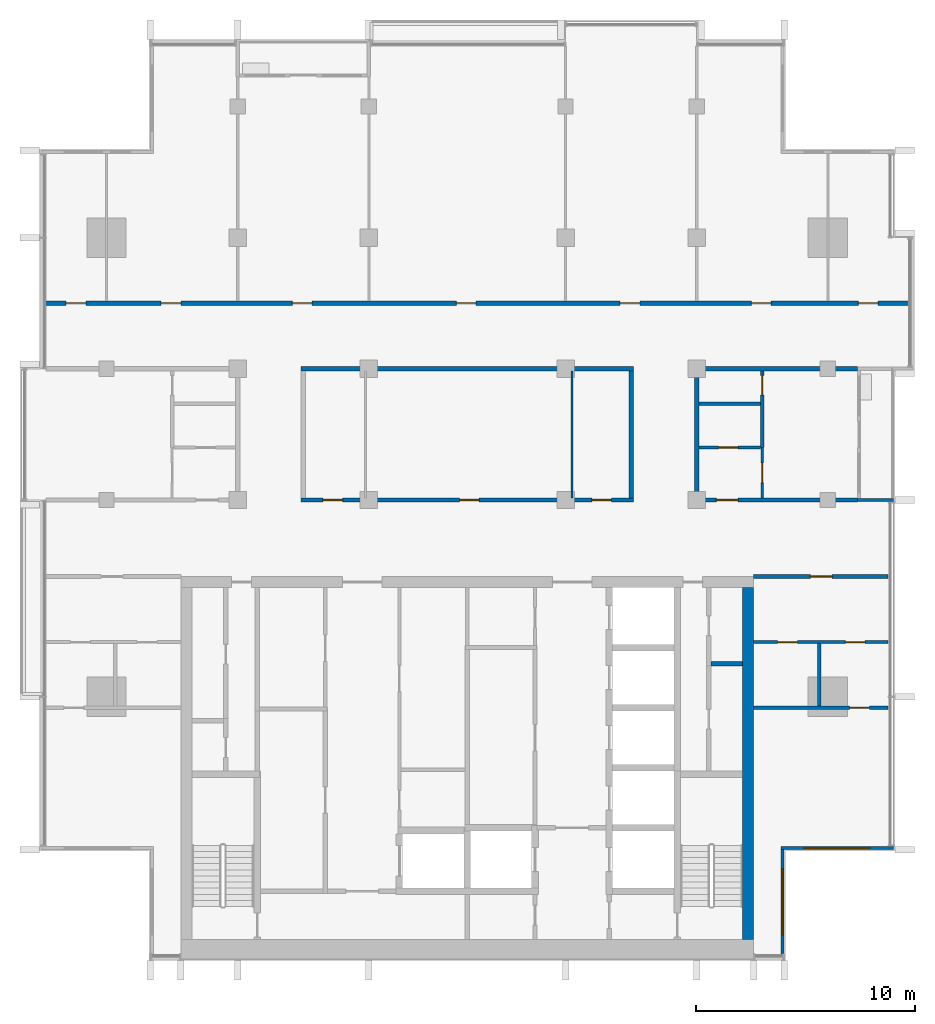
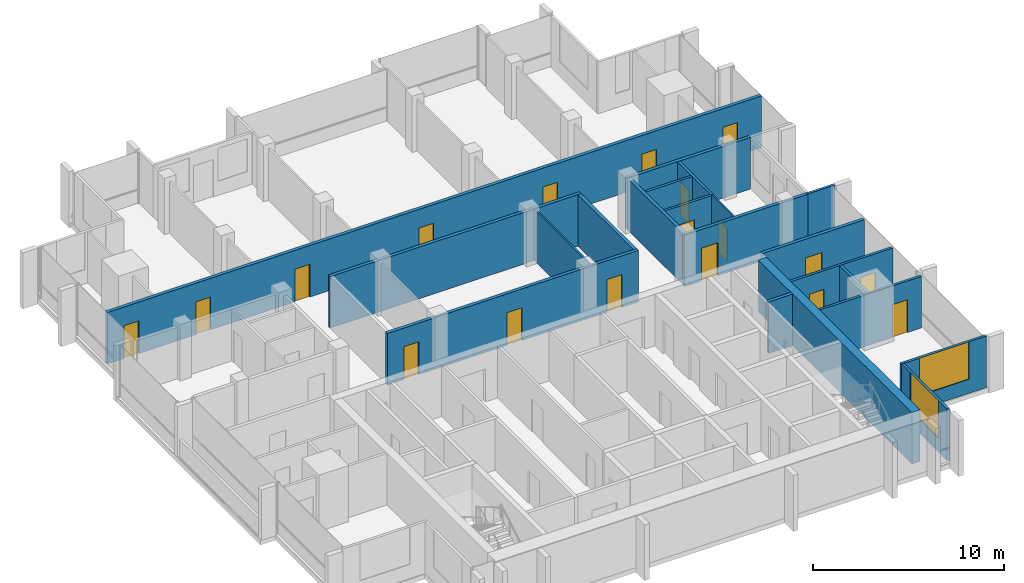
# One storey, part 9 of 15: 21 walls, 18 doors, 2 windows, 20 openings.
"""IFC4 building model written with IfcOpenShell, lengths in metres."""

from ifc_helpers import new_model, si_unit, direction, frame, frame_2d, origin, place, context, subcontext, project, spatial, rectangle, extrude, material, layer, layer_set, type_object, element, fill, save


model = new_model("IFC4")

# Units and contexts
model_context = context("Model", 3, precision=1e-05, world=origin(), true_north=direction((0.0, 1.0)))
body_context = subcontext(model_context, "Body", "Model", "MODEL_VIEW")
ifc_project = project(units=[si_unit("LENGTHUNIT", "METRE"), si_unit("AREAUNIT", "SQUARE_METRE"), si_unit("VOLUMEUNIT", "CUBIC_METRE"), si_unit("PLANEANGLEUNIT", "RADIAN"), si_unit("MASSUNIT", "GRAM", prefix="KILO")], contexts=[model_context])

# Site, building, storey
site_placement = place(None, origin())
site = spatial("IfcSite", under=ifc_project, at=site_placement, CompositionType="ELEMENT")
building_placement = place(site_placement, origin())
building = spatial("IfcBuilding", under=site, at=building_placement, Name="Finial Court Residences", CompositionType="ELEMENT")
storey_placement = place(building_placement, frame((0.0, 0.0, 269.89990234375)))
storey = spatial("IfcBuildingStorey", under=building, at=storey_placement, Name="L68", CompositionType="ELEMENT", Elevation=269.89990234375)

# Wall
ifc_material_1 = material(Name="Concrete C50/60", Category="concrete")
ifc_layer_1 = layer(ifc_material_1, 0.5)
ifc_layer_set_1 = layer_set([ifc_layer_1], Name="Core outer wall 500 Concrete C50/60")
wall_type_1 = type_object("IfcWallType", Name="Core outer wall 500 Concrete C50/60", PredefinedType="SHEAR", material=ifc_layer_set_1)
wall_1_placement = place(storey_placement, frame((12.85009765625, -24.60009765625, 0.0), z_axis=(0.0, 0.0, 1.0), x_axis=(0.0, 1.0, 0.0)))
element("IfcWall", 1, at=wall_1_placement, inside=storey, type_object=wall_type_1, Name="Core outer wall L68-04", PredefinedType="SHEAR", context=body_context, shape_type="SweptSolid", body=[
    extrude(rectangle(XDim=16.10009765625, YDim=0.5, at=frame_2d((8.050048828125, 0.0))), origin(), (0.0, 0.0, 1.0), 3.300048828125),
])

# Wall, opening, door
ifc_material_2 = material(Name="Gypsum board")
ifc_layer_2 = layer(ifc_material_2, 0.02490234375)
ifc_material_3 = material(Name="Acoustic mineral wool in double frame")
ifc_layer_3 = layer(ifc_material_3, 0.14990234375)
ifc_layer_4 = layer(ifc_material_2, 0.02490234375)
ifc_layer_set_2 = layer_set([ifc_layer_2, ifc_layer_3, ifc_layer_4], Name="Corridor wall 200, 1 hour")
wall_type_2 = type_object("IfcWallType", Name="Corridor wall 200, 1 hour", PredefinedType="PARTITIONING", material=ifc_layer_set_2)
wall_2_placement = place(storey_placement, frame((13.10009765625, -8.0, 0.0), z_axis=(0.0, 0.0, 1.0), x_axis=(1.0, 0.0, 0.0)))
wall_2 = element("IfcWall", 2, at=wall_2_placement, inside=storey, type_object=wall_type_2, Name="Partition L68-005", PredefinedType="PARTITIONING", context=body_context, shape_type="SweptSolid", body=[
    extrude(rectangle(XDim=6.162353515625, YDim=0.199951171875, at=frame_2d((3.0810546875, 0.0))), origin(), (0.0, 0.0, 1.0), 3.300048828125),
])
opening_1_placement = place(wall_2_placement, frame((2.60009765625, 0.0, 0.0)))
opening_1 = element("IfcOpeningElement", 3, at=opening_1_placement, cuts=wall_2, Name="Opening L68-D008", PredefinedType="OPENING", context=body_context, shape_type="SweptSolid", body=[
    extrude(rectangle(XDim=1.0, YDim=2.10009765625, at=frame_2d((0.5, 1.050048828125))), frame((0.0, 0.10986328125, 0.0), z_axis=(0.0, -1.0, 0.0), x_axis=(1.0, 0.0, 0.0)), (0.0, 0.0, 1.0), 0.219970703125),
])
ifc_material_4 = material(Name="Timber door leaf in hollow metal frame", Category="wood")
door_type_1 = type_object("IfcDoorType", Name="Fire door set 1000 x 2100, 30 minutes", OperationType="SINGLE_SWING_LEFT", PredefinedType="DOOR", material=ifc_material_4)
door_1_placement = place(opening_1_placement, origin())
door_1 = element("IfcDoor", 4, at=door_1_placement, inside=storey, type_object=door_type_1, Name="Door L68-D008", OperationType="SINGLE_SWING_RIGHT", OverallHeight=2.10009765625, OverallWidth=1.0, PredefinedType="DOOR", context=body_context, shape_type="SweptSolid", body=[
    extrude(rectangle(XDim=1.0, YDim=2.10009765625, at=frame_2d((0.5, 1.050048828125))), frame((0.0, 0.02490234375, 0.0), z_axis=(0.0, -1.0, 0.0), x_axis=(1.0, 0.0, 0.0)), (0.0, 0.0, 1.0), 0.050048828125),
])
fill(opening_1, door_1)

# Wall, openings, doors
wall_3_placement = place(storey_placement, frame((-7.60009765625, -4.5, 0.0), z_axis=(0.0, 0.0, 1.0), x_axis=(1.0, 0.0, 0.0)))
wall_3 = element("IfcWall", 5, at=wall_3_placement, inside=storey, type_object=wall_type_2, Name="Partition L68-007", PredefinedType="PARTITIONING", context=body_context, shape_type="SweptSolid", body=[
    extrude(rectangle(XDim=15.2001953125, YDim=0.199951171875, at=frame_2d((7.60009765625, 0.0))), origin(), (0.0, 0.0, 1.0), 3.300048828125),
])
opening_2_placement = place(wall_3_placement, frame((1.0, 0.0, 0.0)))
opening_2 = element("IfcOpeningElement", 6, at=opening_2_placement, cuts=wall_3, Name="Opening L68-D010", PredefinedType="OPENING", context=body_context, shape_type="SweptSolid", body=[
    extrude(rectangle(XDim=0.89990234375, YDim=2.10009765625, at=frame_2d((0.449951171875, 1.050048828125))), frame((0.0, 0.10986328125, 0.0), z_axis=(0.0, -1.0, 0.0), x_axis=(1.0, 0.0, 0.0)), (0.0, 0.0, 1.0), 0.219970703125),
])
opening_3_placement = place(wall_3_placement, frame((7.25, 0.0, 0.0)))
opening_3 = element("IfcOpeningElement", 7, at=opening_3_placement, cuts=wall_3, Name="Opening L68-D011", PredefinedType="OPENING", context=body_context, shape_type="SweptSolid", body=[
    extrude(rectangle(XDim=0.89990234375, YDim=2.10009765625, at=frame_2d((0.449951171875, 1.050048828125))), frame((0.0, 0.10986328125, 0.0), z_axis=(0.0, -1.0, 0.0), x_axis=(1.0, 0.0, 0.0)), (0.0, 0.0, 1.0), 0.219970703125),
])
opening_4_placement = place(wall_3_placement, frame((13.300048828125, 0.0, 0.0)))
opening_4 = element("IfcOpeningElement", 8, at=opening_4_placement, cuts=wall_3, Name="Opening L68-D012", PredefinedType="OPENING", context=body_context, shape_type="SweptSolid", body=[
    extrude(rectangle(XDim=0.89990234375, YDim=2.10009765625, at=frame_2d((0.449951171875, 1.050048828125))), frame((0.0, 0.10986328125, 0.0), z_axis=(0.0, -1.0, 0.0), x_axis=(1.0, 0.0, 0.0)), (0.0, 0.0, 1.0), 0.219970703125),
])
door_type_2 = type_object("IfcDoorType", Name="Fire door set 900 x 2100, 30 minutes", OperationType="SINGLE_SWING_LEFT", PredefinedType="DOOR", material=ifc_material_4)
door_2_placement = place(opening_2_placement, origin())
door_2 = element("IfcDoor", 9, at=door_2_placement, inside=storey, type_object=door_type_2, Name="Door L68-D010", OperationType="SINGLE_SWING_RIGHT", OverallHeight=2.10009765625, OverallWidth=0.89990234375, PredefinedType="DOOR", context=body_context, shape_type="SweptSolid", body=[
    extrude(rectangle(XDim=0.89990234375, YDim=2.10009765625, at=frame_2d((0.449951171875, 1.050048828125))), frame((0.0, 0.02490234375, 0.0), z_axis=(0.0, -1.0, 0.0), x_axis=(1.0, 0.0, 0.0)), (0.0, 0.0, 1.0), 0.050048828125),
])
fill(opening_2, door_2)
door_3_placement = place(opening_3_placement, origin())
door_3 = element("IfcDoor", 10, at=door_3_placement, inside=storey, type_object=door_type_2, Name="Door L68-D011", OperationType="SINGLE_SWING_RIGHT", OverallHeight=2.10009765625, OverallWidth=0.89990234375, PredefinedType="DOOR", context=body_context, shape_type="SweptSolid", body=[
    extrude(rectangle(XDim=0.89990234375, YDim=2.10009765625, at=frame_2d((0.449951171875, 1.050048828125))), frame((0.0, 0.02490234375, 0.0), z_axis=(0.0, -1.0, 0.0), x_axis=(1.0, 0.0, 0.0)), (0.0, 0.0, 1.0), 0.050048828125),
])
fill(opening_3, door_3)
door_4_placement = place(opening_4_placement, origin())
door_4 = element("IfcDoor", 11, at=door_4_placement, inside=storey, type_object=door_type_2, Name="Door L68-D012", OperationType="SINGLE_SWING_LEFT", OverallHeight=2.10009765625, OverallWidth=0.89990234375, PredefinedType="DOOR", context=body_context, shape_type="SweptSolid", body=[
    extrude(rectangle(XDim=0.89990234375, YDim=2.10009765625, at=frame_2d((0.449951171875, 1.050048828125))), frame((0.0, 0.02490234375, 0.0), z_axis=(0.0, -1.0, 0.0), x_axis=(1.0, 0.0, 0.0)), (0.0, 0.0, 1.0), 0.050048828125),
])
fill(opening_4, door_4)

# Wall, opening, door
wall_4_placement = place(storey_placement, frame((10.39990234375, -4.5, 0.0), z_axis=(0.0, 0.0, 1.0), x_axis=(1.0, 0.0, 0.0)))
wall_4 = element("IfcWall", 12, at=wall_4_placement, inside=storey, type_object=wall_type_2, Name="Partition L68-008", PredefinedType="PARTITIONING", context=body_context, shape_type="SweptSolid", body=[
    extrude(rectangle(XDim=7.4501953125, YDim=0.199951171875, at=frame_2d((3.72509765625, 0.0))), origin(), (0.0, 0.0, 1.0), 3.300048828125),
])
opening_5_placement = place(wall_4_placement, frame((1.0, 0.0, 0.0)))
opening_5 = element("IfcOpeningElement", 13, at=opening_5_placement, cuts=wall_4, Name="Opening L68-D013", PredefinedType="OPENING", context=body_context, shape_type="SweptSolid", body=[
    extrude(rectangle(XDim=1.0, YDim=2.10009765625, at=frame_2d((0.5, 1.050048828125))), frame((0.0, 0.10986328125, 0.0), z_axis=(0.0, -1.0, 0.0), x_axis=(1.0, 0.0, 0.0)), (0.0, 0.0, 1.0), 0.219970703125),
])
door_5_placement = place(opening_5_placement, origin())
door_5 = element("IfcDoor", 14, at=door_5_placement, inside=storey, type_object=door_type_1, Name="Door L68-D013", OperationType="SINGLE_SWING_RIGHT", OverallHeight=2.10009765625, OverallWidth=1.0, PredefinedType="DOOR", context=body_context, shape_type="SweptSolid", body=[
    extrude(rectangle(XDim=1.0, YDim=2.10009765625, at=frame_2d((0.5, 1.050048828125))), frame((0.0, 0.02490234375, 0.0), z_axis=(0.0, -1.0, 0.0), x_axis=(1.0, 0.0, 0.0)), (0.0, 0.0, 1.0), 0.050048828125),
])
fill(opening_5, door_5)

# Walls
wall_5_placement = place(storey_placement, frame((-7.60009765625, 1.5, 0.0), z_axis=(0.0, 0.0, 1.0), x_axis=(1.0, 0.0, 0.0)))
element("IfcWall", 15, at=wall_5_placement, inside=storey, type_object=wall_type_2, Name="Partition L68-014", PredefinedType="PARTITIONING", context=body_context, shape_type="SweptSolid", body=[
    extrude(rectangle(XDim=15.2001953125, YDim=0.199951171875, at=frame_2d((7.60009765625, 0.0))), origin(), (0.0, 0.0, 1.0), 3.300048828125),
])
wall_6_placement = place(storey_placement, frame((10.39990234375, 1.5, 0.0), z_axis=(0.0, 0.0, 1.0), x_axis=(1.0, 0.0, 0.0)))
element("IfcWall", 16, at=wall_6_placement, inside=storey, type_object=wall_type_2, Name="Partition L68-015", PredefinedType="PARTITIONING", context=body_context, shape_type="SweptSolid", body=[
    extrude(rectangle(XDim=7.4501953125, YDim=0.199951171875, at=frame_2d((3.72509765625, 0.0))), origin(), (0.0, 0.0, 1.0), 3.300048828125),
])

# Wall, openings, doors
wall_7_placement = place(storey_placement, frame((-19.35009765625, 4.5, 0.0), z_axis=(0.0, 0.0, 1.0), x_axis=(1.0, 0.0, 0.0)))
wall_7 = element("IfcWall", 17, at=wall_7_placement, inside=storey, type_object=wall_type_2, Name="Partition L68-016", PredefinedType="PARTITIONING", context=body_context, shape_type="SweptSolid", body=[
    extrude(rectangle(XDim=39.60009765625, YDim=0.199951171875, at=frame_2d((19.800048828125, 0.0))), origin(), (0.0, 0.0, 1.0), 3.300048828125),
])
opening_6_placement = place(wall_7_placement, frame((1.0, 0.0, 0.0)))
opening_6 = element("IfcOpeningElement", 18, at=opening_6_placement, cuts=wall_7, Name="Opening L68-D016", PredefinedType="OPENING", context=body_context, shape_type="SweptSolid", body=[
    extrude(rectangle(XDim=0.89990234375, YDim=2.10009765625, at=frame_2d((0.449951171875, 1.050048828125))), frame((0.0, 0.10986328125, 0.0), z_axis=(0.0, -1.0, 0.0), x_axis=(1.0, 0.0, 0.0)), (0.0, 0.0, 1.0), 0.219970703125),
])
opening_7_placement = place(wall_7_placement, frame((5.35009765625, 0.0, 0.0)))
opening_7 = element("IfcOpeningElement", 19, at=opening_7_placement, cuts=wall_7, Name="Opening L68-D017", PredefinedType="OPENING", context=body_context, shape_type="SweptSolid", body=[
    extrude(rectangle(XDim=0.89990234375, YDim=2.10009765625, at=frame_2d((0.449951171875, 1.050048828125))), frame((0.0, 0.10986328125, 0.0), z_axis=(0.0, -1.0, 0.0), x_axis=(1.0, 0.0, 0.0)), (0.0, 0.0, 1.0), 0.219970703125),
])
opening_8_placement = place(wall_7_placement, frame((11.35009765625, 0.0, 0.0)))
opening_8 = element("IfcOpeningElement", 20, at=opening_8_placement, cuts=wall_7, Name="Opening L68-D018", PredefinedType="OPENING", context=body_context, shape_type="SweptSolid", body=[
    extrude(rectangle(XDim=0.89990234375, YDim=2.10009765625, at=frame_2d((0.449951171875, 1.050048828125))), frame((0.0, 0.10986328125, 0.0), z_axis=(0.0, -1.0, 0.0), x_axis=(1.0, 0.0, 0.0)), (0.0, 0.0, 1.0), 0.219970703125),
])
opening_9_placement = place(wall_7_placement, frame((18.85009765625, 0.0, 0.0)))
opening_9 = element("IfcOpeningElement", 21, at=opening_9_placement, cuts=wall_7, Name="Opening L68-D019", PredefinedType="OPENING", context=body_context, shape_type="SweptSolid", body=[
    extrude(rectangle(XDim=0.89990234375, YDim=2.10009765625, at=frame_2d((0.449951171875, 1.050048828125))), frame((0.0, 0.10986328125, 0.0), z_axis=(0.0, -1.0, 0.0), x_axis=(1.0, 0.0, 0.0)), (0.0, 0.0, 1.0), 0.219970703125),
])
opening_10_placement = place(wall_7_placement, frame((26.35009765625, 0.0, 0.0)))
opening_10 = element("IfcOpeningElement", 22, at=opening_10_placement, cuts=wall_7, Name="Opening L68-D020", PredefinedType="OPENING", context=body_context, shape_type="SweptSolid", body=[
    extrude(rectangle(XDim=0.89990234375, YDim=2.10009765625, at=frame_2d((0.449951171875, 1.050048828125))), frame((0.0, 0.10986328125, 0.0), z_axis=(0.0, -1.0, 0.0), x_axis=(1.0, 0.0, 0.0)), (0.0, 0.0, 1.0), 0.219970703125),
])
opening_11_placement = place(wall_7_placement, frame((32.35009765625, 0.0, 0.0)))
opening_11 = element("IfcOpeningElement", 23, at=opening_11_placement, cuts=wall_7, Name="Opening L68-D021", PredefinedType="OPENING", context=body_context, shape_type="SweptSolid", body=[
    extrude(rectangle(XDim=0.89990234375, YDim=2.10009765625, at=frame_2d((0.449951171875, 1.050048828125))), frame((0.0, 0.10986328125, 0.0), z_axis=(0.0, -1.0, 0.0), x_axis=(1.0, 0.0, 0.0)), (0.0, 0.0, 1.0), 0.219970703125),
])
opening_12_placement = place(wall_7_placement, frame((37.25, 0.0, 0.0)))
opening_12 = element("IfcOpeningElement", 24, at=opening_12_placement, cuts=wall_7, Name="Opening L68-D022", PredefinedType="OPENING", context=body_context, shape_type="SweptSolid", body=[
    extrude(rectangle(XDim=0.89990234375, YDim=2.10009765625, at=frame_2d((0.449951171875, 1.050048828125))), frame((0.0, 0.10986328125, 0.0), z_axis=(0.0, -1.0, 0.0), x_axis=(1.0, 0.0, 0.0)), (0.0, 0.0, 1.0), 0.219970703125),
])
door_6_placement = place(opening_6_placement, origin())
door_6 = element("IfcDoor", 25, at=door_6_placement, inside=storey, type_object=door_type_2, Name="Door L68-D016", OperationType="SINGLE_SWING_RIGHT", OverallHeight=2.10009765625, OverallWidth=0.89990234375, PredefinedType="DOOR", context=body_context, shape_type="SweptSolid", body=[
    extrude(rectangle(XDim=0.89990234375, YDim=2.10009765625, at=frame_2d((0.449951171875, 1.050048828125))), frame((0.0, 0.02490234375, 0.0), z_axis=(0.0, -1.0, 0.0), x_axis=(1.0, 0.0, 0.0)), (0.0, 0.0, 1.0), 0.050048828125),
])
fill(opening_6, door_6)
door_7_placement = place(opening_7_placement, origin())
door_7 = element("IfcDoor", 26, at=door_7_placement, inside=storey, type_object=door_type_2, Name="Door L68-D017", OperationType="SINGLE_SWING_RIGHT", OverallHeight=2.10009765625, OverallWidth=0.89990234375, PredefinedType="DOOR", context=body_context, shape_type="SweptSolid", body=[
    extrude(rectangle(XDim=0.89990234375, YDim=2.10009765625, at=frame_2d((0.449951171875, 1.050048828125))), frame((0.0, 0.02490234375, 0.0), z_axis=(0.0, -1.0, 0.0), x_axis=(1.0, 0.0, 0.0)), (0.0, 0.0, 1.0), 0.050048828125),
])
fill(opening_7, door_7)
door_8_placement = place(opening_8_placement, origin())
door_8 = element("IfcDoor", 27, at=door_8_placement, inside=storey, type_object=door_type_2, Name="Door L68-D018", OperationType="SINGLE_SWING_RIGHT", OverallHeight=2.10009765625, OverallWidth=0.89990234375, PredefinedType="DOOR", context=body_context, shape_type="SweptSolid", body=[
    extrude(rectangle(XDim=0.89990234375, YDim=2.10009765625, at=frame_2d((0.449951171875, 1.050048828125))), frame((0.0, 0.02490234375, 0.0), z_axis=(0.0, -1.0, 0.0), x_axis=(1.0, 0.0, 0.0)), (0.0, 0.0, 1.0), 0.050048828125),
])
fill(opening_8, door_8)
door_9_placement = place(opening_9_placement, origin())
door_9 = element("IfcDoor", 28, at=door_9_placement, inside=storey, type_object=door_type_2, Name="Door L68-D019", OperationType="SINGLE_SWING_RIGHT", OverallHeight=2.10009765625, OverallWidth=0.89990234375, PredefinedType="DOOR", context=body_context, shape_type="SweptSolid", body=[
    extrude(rectangle(XDim=0.89990234375, YDim=2.10009765625, at=frame_2d((0.449951171875, 1.050048828125))), frame((0.0, 0.02490234375, 0.0), z_axis=(0.0, -1.0, 0.0), x_axis=(1.0, 0.0, 0.0)), (0.0, 0.0, 1.0), 0.050048828125),
])
fill(opening_9, door_9)
door_10_placement = place(opening_10_placement, origin())
door_10 = element("IfcDoor", 29, at=door_10_placement, inside=storey, type_object=door_type_2, Name="Door L68-D020", OperationType="SINGLE_SWING_LEFT", OverallHeight=2.10009765625, OverallWidth=0.89990234375, PredefinedType="DOOR", context=body_context, shape_type="SweptSolid", body=[
    extrude(rectangle(XDim=0.89990234375, YDim=2.10009765625, at=frame_2d((0.449951171875, 1.050048828125))), frame((0.0, 0.02490234375, 0.0), z_axis=(0.0, -1.0, 0.0), x_axis=(1.0, 0.0, 0.0)), (0.0, 0.0, 1.0), 0.050048828125),
])
fill(opening_10, door_10)
door_11_placement = place(opening_11_placement, origin())
door_11 = element("IfcDoor", 30, at=door_11_placement, inside=storey, type_object=door_type_2, Name="Door L68-D021", OperationType="SINGLE_SWING_LEFT", OverallHeight=2.10009765625, OverallWidth=0.89990234375, PredefinedType="DOOR", context=body_context, shape_type="SweptSolid", body=[
    extrude(rectangle(XDim=0.89990234375, YDim=2.10009765625, at=frame_2d((0.449951171875, 1.050048828125))), frame((0.0, 0.02490234375, 0.0), z_axis=(0.0, -1.0, 0.0), x_axis=(1.0, 0.0, 0.0)), (0.0, 0.0, 1.0), 0.050048828125),
])
fill(opening_11, door_11)
door_12_placement = place(opening_12_placement, origin())
door_12 = element("IfcDoor", 31, at=door_12_placement, inside=storey, type_object=door_type_2, Name="Door L68-D022", OperationType="SINGLE_SWING_LEFT", OverallHeight=2.10009765625, OverallWidth=0.89990234375, PredefinedType="DOOR", context=body_context, shape_type="SweptSolid", body=[
    extrude(rectangle(XDim=0.89990234375, YDim=2.10009765625, at=frame_2d((0.449951171875, 1.050048828125))), frame((0.0, 0.02490234375, 0.0), z_axis=(0.0, -1.0, 0.0), x_axis=(1.0, 0.0, 0.0)), (0.0, 0.0, 1.0), 0.050048828125),
])
fill(opening_12, door_12)

# Walls
for number, where, z_axis, x_axis, name in (
    (32, (7.5, -4.39990234375, 0.0), (0.0, 0.0, 1.0), (0.0, 1.0, 0.0), "Partition L68-028"),
    (33, (10.5, -4.39990234375, 0.0), (0.0, 0.0, 1.0), (0.0, 1.0, 0.0), "Partition L68-029"),
):
    element("IfcWall", number, at=place(storey_placement, frame(where, z_axis=z_axis, x_axis=x_axis)), inside=storey, type_object=wall_type_2, Name=name, PredefinedType="PARTITIONING", context=body_context, shape_type="SweptSolid", body=[
        extrude(rectangle(XDim=5.7998046875, YDim=0.199951171875, at=frame_2d((2.89990234375, 0.0))), origin(), (0.0, 0.0, 1.0), 3.300048828125),
    ])
ifc_layer_5 = layer(ifc_material_2, 0.012451171875)
ifc_material_5 = material(Name="Mineral wool in light-gauge frame")
ifc_layer_6 = layer(ifc_material_5, 0.074951171875)
ifc_layer_7 = layer(ifc_material_2, 0.012451171875)
ifc_layer_set_3 = layer_set([ifc_layer_5, ifc_layer_6, ifc_layer_7], Name="Gypsum board partition 100")
wall_type_3 = type_object("IfcWallType", Name="Gypsum board partition 100", PredefinedType="PARTITIONING", material=ifc_layer_set_3)
wall_8_placement = place(storey_placement, frame((4.800048828125, -4.39990234375, 0.0), z_axis=(0.0, 0.0, 1.0), x_axis=(0.0, 1.0, 0.0)))
element("IfcWall", 34, at=wall_8_placement, inside=storey, type_object=wall_type_3, Name="Partition L68-027", PredefinedType="PARTITIONING", context=body_context, shape_type="SweptSolid", body=[
    extrude(rectangle(XDim=5.7998046875, YDim=0.10009765625, at=frame_2d((2.89990234375, 0.0))), origin(), (0.0, 0.0, 1.0), 3.300048828125),
])

# Wall, opening, door
wall_9_placement = place(storey_placement, frame((13.5, -4.39990234375, 0.0), z_axis=(0.0, 0.0, 1.0), x_axis=(0.0, 1.0, 0.0)))
wall_9 = element("IfcWall", 35, at=wall_9_placement, inside=storey, type_object=wall_type_3, Name="Partition L68-031", PredefinedType="PARTITIONING", context=body_context, shape_type="SweptSolid", body=[
    extrude(rectangle(XDim=2.2998046875, YDim=0.10009765625, at=frame_2d((1.14990234375, 0.0))), origin(), (0.0, 0.0, 1.0), 3.300048828125),
])
opening_13_placement = place(wall_9_placement, frame((0.699951171875, 0.0, 0.0)))
opening_13 = element("IfcOpeningElement", 36, at=opening_13_placement, cuts=wall_9, Name="Opening L68-D025", PredefinedType="OPENING", context=body_context, shape_type="SweptSolid", body=[
    extrude(rectangle(XDim=0.89990234375, YDim=2.10009765625, at=frame_2d((0.449951171875, 1.050048828125))), frame((0.0, 0.06005859375, 0.0), z_axis=(0.0, -1.0, 0.0), x_axis=(1.0, 0.0, 0.0)), (0.0, 0.0, 1.0), 0.1201171875),
])
ifc_material_6 = material(Name="Timber door leaf in timber frame", Category="wood")
door_type_3 = type_object("IfcDoorType", Name="Door set 900 x 2100", OperationType="SINGLE_SWING_LEFT", PredefinedType="DOOR", material=ifc_material_6)
door_13_placement = place(opening_13_placement, origin())
door_13 = element("IfcDoor", 37, at=door_13_placement, inside=storey, type_object=door_type_3, Name="Door L68-D025", OperationType="SINGLE_SWING_LEFT", OverallHeight=2.10009765625, OverallWidth=0.89990234375, PredefinedType="DOOR", context=body_context, shape_type="SweptSolid", body=[
    extrude(rectangle(XDim=0.89990234375, YDim=2.10009765625, at=frame_2d((0.449951171875, 1.050048828125))), frame((0.0, 0.02490234375, 0.0), z_axis=(0.0, -1.0, 0.0), x_axis=(1.0, 0.0, 0.0)), (0.0, 0.0, 1.0), 0.050048828125),
])
fill(opening_13, door_13)

ifc_material_7 = material(Name="Moisture-resistant gypsum board")
ifc_layer_8 = layer(ifc_material_7, 0.012451171875)
ifc_layer_9 = layer(ifc_material_5, 0.125)
ifc_layer_10 = layer(ifc_material_7, 0.012451171875)
ifc_layer_set_4 = layer_set([ifc_layer_8, ifc_layer_9, ifc_layer_10], Name="Gypsum board wet-area partition 150")
wall_type_4 = type_object("IfcWallType", Name="Gypsum board wet-area partition 150", PredefinedType="PARTITIONING", material=ifc_layer_set_4)
wall_10_placement = place(storey_placement, frame((13.10009765625, -14.0, 0.0), z_axis=(0.0, 0.0, 1.0), x_axis=(1.0, 0.0, 0.0)))
wall_10 = element("IfcWall", 38, at=wall_10_placement, inside=storey, type_object=wall_type_4, Name="Partition L68-001", PredefinedType="PARTITIONING", context=body_context, shape_type="SweptSolid", body=[
    extrude(rectangle(XDim=6.162353515625, YDim=0.14990234375, at=frame_2d((3.0810546875, 0.0))), origin(), (0.0, 0.0, 1.0), 3.300048828125),
])
opening_14_placement = place(wall_10_placement, frame((4.39990234375, 0.0, 0.0)))
opening_14 = element("IfcOpeningElement", 39, at=opening_14_placement, cuts=wall_10, Name="Opening L68-D002", PredefinedType="OPENING", context=body_context, shape_type="SweptSolid", body=[
    extrude(rectangle(XDim=0.89990234375, YDim=2.10009765625, at=frame_2d((0.449951171875, 1.050048828125))), frame((0.0, 0.0849609375, 0.0), z_axis=(0.0, -1.0, 0.0), x_axis=(1.0, 0.0, 0.0)), (0.0, 0.0, 1.0), 0.169921875),
])
door_14_placement = place(opening_14_placement, origin())
door_14 = element("IfcDoor", 40, at=door_14_placement, inside=storey, type_object=door_type_3, Name="Door L68-D002", OperationType="SINGLE_SWING_RIGHT", OverallHeight=2.10009765625, OverallWidth=0.89990234375, PredefinedType="DOOR", context=body_context, shape_type="SweptSolid", body=[
    extrude(rectangle(XDim=0.89990234375, YDim=2.10009765625, at=frame_2d((0.449951171875, 1.050048828125))), frame((0.0, 0.02490234375, 0.0), z_axis=(0.0, -1.0, 0.0), x_axis=(1.0, 0.0, 0.0)), (0.0, 0.0, 1.0), 0.050048828125),
])
fill(opening_14, door_14)

# Wall, openings, doors
wall_11_placement = place(storey_placement, frame((13.10009765625, -11.0, 0.0), z_axis=(0.0, 0.0, 1.0), x_axis=(1.0, 0.0, 0.0)))
wall_11 = element("IfcWall", 41, at=wall_11_placement, inside=storey, type_object=wall_type_4, Name="Partition L68-003", PredefinedType="PARTITIONING", context=body_context, shape_type="SweptSolid", body=[
    extrude(rectangle(XDim=6.162353515625, YDim=0.14990234375, at=frame_2d((3.0810546875, 0.0))), origin(), (0.0, 0.0, 1.0), 3.300048828125),
])
opening_15_placement = place(wall_11_placement, frame((1.10009765625, 0.0, 0.0)))
opening_15 = element("IfcOpeningElement", 42, at=opening_15_placement, cuts=wall_11, Name="Opening L68-D005", PredefinedType="OPENING", context=body_context, shape_type="SweptSolid", body=[
    extrude(rectangle(XDim=0.89990234375, YDim=2.10009765625, at=frame_2d((0.449951171875, 1.050048828125))), frame((0.0, 0.0849609375, 0.0), z_axis=(0.0, -1.0, 0.0), x_axis=(1.0, 0.0, 0.0)), (0.0, 0.0, 1.0), 0.169921875),
])
opening_16_placement = place(wall_11_placement, frame((4.199951171875, 0.0, 0.0)))
opening_16 = element("IfcOpeningElement", 43, at=opening_16_placement, cuts=wall_11, Name="Opening L68-D006", PredefinedType="OPENING", context=body_context, shape_type="SweptSolid", body=[
    extrude(rectangle(XDim=0.89990234375, YDim=2.10009765625, at=frame_2d((0.449951171875, 1.050048828125))), frame((0.0, 0.0849609375, 0.0), z_axis=(0.0, -1.0, 0.0), x_axis=(1.0, 0.0, 0.0)), (0.0, 0.0, 1.0), 0.169921875),
])
door_15_placement = place(opening_15_placement, origin())
door_15 = element("IfcDoor", 44, at=door_15_placement, inside=storey, type_object=door_type_3, Name="Door L68-D005", OperationType="SINGLE_SWING_LEFT", OverallHeight=2.10009765625, OverallWidth=0.89990234375, PredefinedType="DOOR", context=body_context, shape_type="SweptSolid", body=[
    extrude(rectangle(XDim=0.89990234375, YDim=2.10009765625, at=frame_2d((0.449951171875, 1.050048828125))), frame((0.0, 0.02490234375, 0.0), z_axis=(0.0, -1.0, 0.0), x_axis=(1.0, 0.0, 0.0)), (0.0, 0.0, 1.0), 0.050048828125),
])
fill(opening_15, door_15)
door_16_placement = place(opening_16_placement, origin())
door_16 = element("IfcDoor", 45, at=door_16_placement, inside=storey, type_object=door_type_3, Name="Door L68-D006", OperationType="SINGLE_SWING_RIGHT", OverallHeight=2.10009765625, OverallWidth=0.89990234375, PredefinedType="DOOR", context=body_context, shape_type="SweptSolid", body=[
    extrude(rectangle(XDim=0.89990234375, YDim=2.10009765625, at=frame_2d((0.449951171875, 1.050048828125))), frame((0.0, 0.02490234375, 0.0), z_axis=(0.0, -1.0, 0.0), x_axis=(1.0, 0.0, 0.0)), (0.0, 0.0, 1.0), 0.050048828125),
])
fill(opening_16, door_16)

# Wall, opening, door
wall_12_placement = place(storey_placement, frame((10.60009765625, -2.10009765625, 0.0), z_axis=(0.0, 0.0, 1.0), x_axis=(1.0, 0.0, 0.0)))
wall_12 = element("IfcWall", 46, at=wall_12_placement, inside=storey, type_object=wall_type_4, Name="Partition L68-010", PredefinedType="PARTITIONING", context=body_context, shape_type="SweptSolid", body=[
    extrude(rectangle(XDim=2.824951171875, YDim=0.14990234375, at=frame_2d((1.41259765625, 0.0))), origin(), (0.0, 0.0, 1.0), 3.300048828125),
])
opening_17_placement = place(wall_12_placement, frame((0.89990234375, 0.0, 0.0)))
opening_17 = element("IfcOpeningElement", 47, at=opening_17_placement, cuts=wall_12, Name="Opening L68-D015", PredefinedType="OPENING", context=body_context, shape_type="SweptSolid", body=[
    extrude(rectangle(XDim=0.89990234375, YDim=2.10009765625, at=frame_2d((0.449951171875, 1.050048828125))), frame((0.0, 0.0849609375, 0.0), z_axis=(0.0, -1.0, 0.0), x_axis=(1.0, 0.0, 0.0)), (0.0, 0.0, 1.0), 0.169921875),
])
door_17_placement = place(opening_17_placement, origin())
door_17 = element("IfcDoor", 48, at=door_17_placement, inside=storey, type_object=door_type_3, Name="Door L68-D015", OperationType="SINGLE_SWING_RIGHT", OverallHeight=2.10009765625, OverallWidth=0.89990234375, PredefinedType="DOOR", context=body_context, shape_type="SweptSolid", body=[
    extrude(rectangle(XDim=0.89990234375, YDim=2.10009765625, at=frame_2d((0.449951171875, 1.050048828125))), frame((0.0, 0.02490234375, 0.0), z_axis=(0.0, -1.0, 0.0), x_axis=(1.0, 0.0, 0.0)), (0.0, 0.0, 1.0), 0.050048828125),
])
fill(opening_17, door_17)

# Wall
wall_13_placement = place(storey_placement, frame((10.60009765625, -0.10009765625, 0.0), z_axis=(0.0, 0.0, 1.0), x_axis=(1.0, 0.0, 0.0)))
element("IfcWall", 49, at=wall_13_placement, inside=storey, type_object=wall_type_4, Name="Partition L68-012", PredefinedType="PARTITIONING", context=body_context, shape_type="SweptSolid", body=[
    extrude(rectangle(XDim=2.824951171875, YDim=0.14990234375, at=frame_2d((1.41259765625, 0.0))), origin(), (0.0, 0.0, 1.0), 3.300048828125),
])

# Wall, opening, door
wall_14_placement = place(storey_placement, frame((13.5, -2.10009765625, 0.0), z_axis=(0.0, 0.0, 1.0), x_axis=(0.0, 1.0, 0.0)))
wall_14 = element("IfcWall", 50, at=wall_14_placement, inside=storey, type_object=wall_type_4, Name="Partition L68-032", PredefinedType="PARTITIONING", context=body_context, shape_type="SweptSolid", body=[
    extrude(rectangle(XDim=3.5, YDim=0.14990234375, at=frame_2d((1.75, 0.0))), origin(), (0.0, 0.0, 1.0), 3.300048828125),
])
opening_18_placement = place(wall_14_placement, frame((2.39990234375, 0.0, 0.0)))
opening_18 = element("IfcOpeningElement", 51, at=opening_18_placement, cuts=wall_14, Name="Opening L68-D026", PredefinedType="OPENING", context=body_context, shape_type="SweptSolid", body=[
    extrude(rectangle(XDim=0.89990234375, YDim=2.10009765625, at=frame_2d((0.449951171875, 1.050048828125))), frame((0.0, 0.0849609375, 0.0), z_axis=(0.0, -1.0, 0.0), x_axis=(1.0, 0.0, 0.0)), (0.0, 0.0, 1.0), 0.169921875),
])
door_18_placement = place(opening_18_placement, origin())
door_18 = element("IfcDoor", 52, at=door_18_placement, inside=storey, type_object=door_type_3, Name="Door L68-D026", OperationType="SINGLE_SWING_LEFT", OverallHeight=2.10009765625, OverallWidth=0.89990234375, PredefinedType="DOOR", context=body_context, shape_type="SweptSolid", body=[
    extrude(rectangle(XDim=0.89990234375, YDim=2.10009765625, at=frame_2d((0.449951171875, 1.050048828125))), frame((0.0, 0.02490234375, 0.0), z_axis=(0.0, -1.0, 0.0), x_axis=(1.0, 0.0, 0.0)), (0.0, 0.0, 1.0), 0.050048828125),
])
fill(opening_18, door_18)

# Wall
wall_15_placement = place(storey_placement, frame((16.10009765625, -13.925048828125, 0.0), z_axis=(0.0, 0.0, 1.0), x_axis=(0.0, 1.0, 0.0)))
element("IfcWall", 53, at=wall_15_placement, inside=storey, type_object=wall_type_4, Name="Partition L68-033", PredefinedType="PARTITIONING", context=body_context, shape_type="SweptSolid", body=[
    extrude(rectangle(XDim=2.85009765625, YDim=0.14990234375, at=frame_2d((1.425048828125, 0.0))), origin(), (0.0, 0.0, 1.0), 3.300048828125),
])

# Wall, opening, window
ifc_material_8 = material(Name="Natural limestone", Category="masonry")
ifc_layer_11 = layer(ifc_material_8, 0.14990234375)
ifc_layer_set_5 = layer_set([ifc_layer_11], Name="Limestone clad wall 150")
wall_type_5 = type_object("IfcWallType", Name="Limestone clad wall 150", PredefinedType="SOLIDWALL", material=ifc_layer_set_5)
wall_16_placement = place(storey_placement, frame((14.425048828125, -20.5, 0.0), z_axis=(0.0, 0.0, 1.0), x_axis=(0.0, -1.0, 0.0)))
wall_16 = element("IfcWall", 54, at=wall_16_placement, inside=storey, type_object=wall_type_5, Name="E-L68-NWE15", PredefinedType="SOLIDWALL", context=body_context, shape_type="SweptSolid", body=[
    extrude(rectangle(XDim=4.762451171875, YDim=0.14990234375, at=frame_2d((2.38134765625, 0.0))), origin(), (0.0, 0.0, 1.0), 3.300048828125),
])
opening_19_placement = place(wall_16_placement, frame((0.88134765625, 0.0, 0.89990234375)))
opening_19 = element("IfcOpeningElement", 55, at=opening_19_placement, cuts=wall_16, Name="Opening WE68-03", PredefinedType="OPENING", context=body_context, shape_type="SweptSolid", body=[
    extrude(rectangle(XDim=3.0, YDim=2.39990234375, at=frame_2d((1.5, 1.199951171875))), frame((0.0, 0.0849609375, 0.0), z_axis=(0.0, -1.0, 0.0), x_axis=(1.0, 0.0, 0.0)), (0.0, 0.0, 1.0), 0.169921875),
])
ifc_material_9 = material(Name="Clear low-e glass", Category="glass")
window_type = type_object("IfcWindowType", Name="Corner window 3000 x 2400", PartitioningType="SINGLE_PANEL", PredefinedType="WINDOW", material=ifc_material_9)
window_1_placement = place(opening_19_placement, origin())
window_1 = element("IfcWindow", 56, at=window_1_placement, inside=storey, type_object=window_type, Name="E-L68-NWE15-W1", OverallHeight=2.39990234375, OverallWidth=3.0, PartitioningType="SINGLE_PANEL", PredefinedType="WINDOW", context=body_context, shape_type="SweptSolid", body=[
    extrude(rectangle(XDim=3.0, YDim=2.39990234375, at=frame_2d((1.5, 1.199951171875))), frame((0.0, 0.030029296875, 0.0), z_axis=(0.0, -1.0, 0.0), x_axis=(1.0, 0.0, 0.0)), (0.0, 0.0, 1.0), 0.06005859375),
])
fill(opening_19, window_1)

wall_17_placement = place(storey_placement, frame((19.5, -20.425048828125, 0.0), z_axis=(0.0, 0.0, 1.0), x_axis=(-1.0, 0.0, 0.0)))
wall_17 = element("IfcWall", 57, at=wall_17_placement, inside=storey, type_object=wall_type_5, Name="E-L68-NWS16", PredefinedType="SOLIDWALL", context=body_context, shape_type="SweptSolid", body=[
    extrude(rectangle(XDim=5.14990234375, YDim=0.14990234375, at=frame_2d((2.574951171875, 0.0))), origin(), (0.0, 0.0, 1.0), 3.300048828125),
])
opening_20_placement = place(wall_17_placement, frame((1.074951171875, 0.0, 0.89990234375)))
opening_20 = element("IfcOpeningElement", 58, at=opening_20_placement, cuts=wall_17, Name="Opening WE68-04", PredefinedType="OPENING", context=body_context, shape_type="SweptSolid", body=[
    extrude(rectangle(XDim=3.0, YDim=2.39990234375, at=frame_2d((1.5, 1.199951171875))), frame((0.0, 0.0849609375, 0.0), z_axis=(0.0, -1.0, 0.0), x_axis=(1.0, 0.0, 0.0)), (0.0, 0.0, 1.0), 0.169921875),
])
window_2_placement = place(opening_20_placement, origin())
window_2 = element("IfcWindow", 59, at=window_2_placement, inside=storey, type_object=window_type, Name="E-L68-NWS16-W1", OverallHeight=2.39990234375, OverallWidth=3.0, PartitioningType="SINGLE_PANEL", PredefinedType="WINDOW", context=body_context, shape_type="SweptSolid", body=[
    extrude(rectangle(XDim=3.0, YDim=2.39990234375, at=frame_2d((1.5, 1.199951171875))), frame((0.0, 0.030029296875, 0.0), z_axis=(0.0, -1.0, 0.0), x_axis=(1.0, 0.0, 0.0)), (0.0, 0.0, 1.0), 0.06005859375),
])
fill(opening_20, window_2)

# Walls
wall_18_placement = place(storey_placement, frame((17.85009765625, -4.5, 0.0), z_axis=(0.0, 0.0, 1.0), x_axis=(1.0, 0.0, 0.0)))
element("IfcWall", 60, at=wall_18_placement, inside=storey, type_object=wall_type_5, Name="E-L68-BALE3-P1", PredefinedType="SOLIDWALL", context=body_context, shape_type="SweptSolid", body=[
    extrude(rectangle(XDim=1.64990234375, YDim=0.14990234375, at=frame_2d((0.824951171875, 0.0))), origin(), (0.0, 0.0, 1.0), 3.300048828125),
])
ifc_material_10 = material(Name="Fire-rated gypsum board partition")
ifc_layer_12 = layer(ifc_material_10, 0.199951171875)
ifc_layer_set_6 = layer_set([ifc_layer_12], Name="Riser room wall 200 EI 120")
wall_type_6 = type_object("IfcWallType", Name="Riser room wall 200 EI 120", PredefinedType="PARTITIONING", material=ifc_layer_set_6)
wall_19_placement = place(storey_placement, frame((11.14990234375, -12.0, 0.0), z_axis=(0.0, 0.0, 1.0), x_axis=(1.0, 0.0, 0.0)))
element("IfcWall", 61, at=wall_19_placement, inside=storey, type_object=wall_type_6, Name="Core partition L68-16", PredefinedType="PARTITIONING", context=body_context, shape_type="SweptSolid", body=[
    extrude(rectangle(XDim=1.4501953125, YDim=0.199951171875, at=frame_2d((0.72509765625, 0.0))), origin(), (0.0, 0.0, 1.0), 3.300048828125),
])

save(model, "model.ifc")
